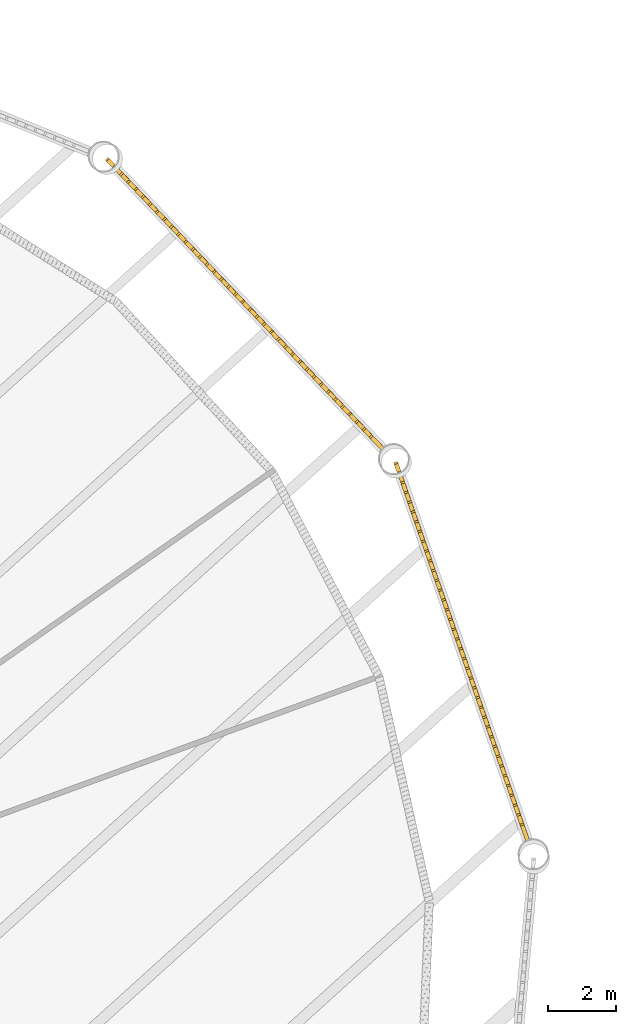
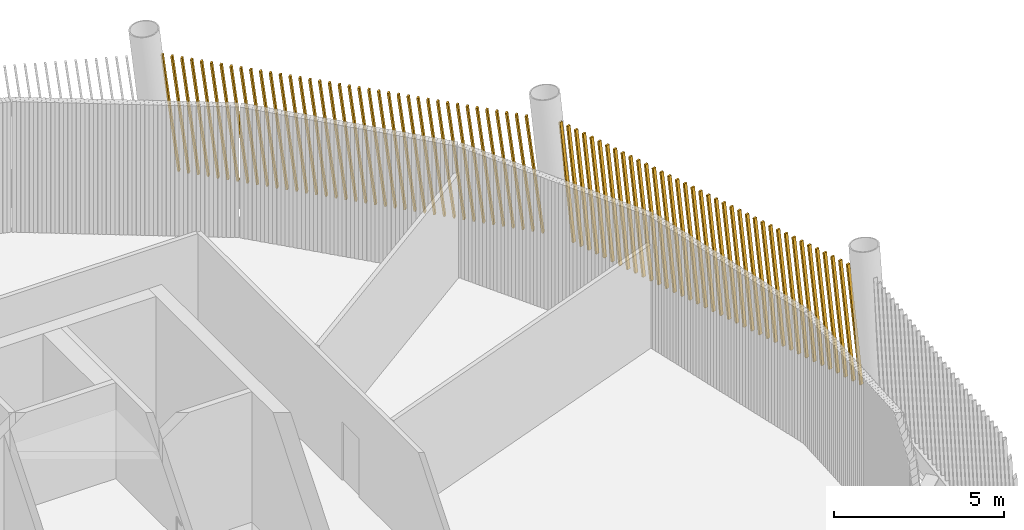
# One storey, part 21 of 21: 2 shading devices.
"""IFC4 building model written with IfcOpenShell, lengths in metres."""

from ifc_helpers import new_model, si_unit, direction, frame, frame_2d, origin, place, context, subcontext, project, spatial, rectangle, composite_profile, extrude, material, type_object, element, save


model = new_model("IFC4")

# Units and contexts
model_context = context("Model", 3, precision=1e-05, world=origin(), true_north=direction((0.0, 1.0)))
body_context = subcontext(model_context, "Body", "Model", "MODEL_VIEW")
ifc_project = project(units=[si_unit("LENGTHUNIT", "METRE"), si_unit("AREAUNIT", "SQUARE_METRE"), si_unit("VOLUMEUNIT", "CUBIC_METRE"), si_unit("PLANEANGLEUNIT", "RADIAN"), si_unit("MASSUNIT", "GRAM", prefix="KILO")], contexts=[model_context])

# Site, building, storey
site_placement = place(None, origin())
site = spatial("IfcSite", under=ifc_project, at=site_placement, CompositionType="ELEMENT")
building_placement = place(site_placement, origin())
building = spatial("IfcBuilding", under=site, at=building_placement, Name="Tarsis Ring Headquarters", CompositionType="ELEMENT")
storey_placement = place(building_placement, frame((0.0, 0.0, 398.60009765625)))
storey = spatial("IfcBuildingStorey", under=building, at=storey_placement, Name="L94", CompositionType="ELEMENT", Elevation=398.60009765625)

# Shading devices
ifc_material = material(Name="Terracotta baguette", Category="masonry")
shading_device_type = type_object("IfcShadingDeviceType", Name="Terracotta baguette screen", PredefinedType="USERDEFINED", material=ifc_material)
shading_device_1_placement = place(storey_placement, frame((28.6640625, 4.03857421875, 0.0), z_axis=(0.0, 0.0, 1.0), x_axis=(-0.329267498644, 0.944243081932, 0.0)))
element("IfcShadingDevice", 1, at=shading_device_1_placement, inside=storey, type_object=shading_device_type, Name="Baguette screen L94-06", ObjectType="Terracotta baguette screen", PredefinedType="USERDEFINED", context=body_context, shape_type="SweptSolid", body=[
    extrude(composite_profile([rectangle(XDim=0.06005859375, YDim=0.1201171875, at=frame_2d((0.030029296875, 0.0))), rectangle(XDim=0.06005859375, YDim=0.1201171875, at=frame_2d((0.33251953125, 0.0))), rectangle(XDim=0.06005859375, YDim=0.1201171875, at=frame_2d((0.634765625, 0.0))), rectangle(XDim=0.06005859375, YDim=0.1201171875, at=frame_2d((0.937255859375, 0.0))), rectangle(XDim=0.06005859375, YDim=0.1201171875, at=frame_2d((1.239501953125, 0.0))), rectangle(XDim=0.06005859375, YDim=0.1201171875, at=frame_2d((1.5419921875, 0.0))), rectangle(XDim=0.06005859375, YDim=0.1201171875, at=frame_2d((1.844482421875, 0.0))), rectangle(XDim=0.06005859375, YDim=0.1201171875, at=frame_2d((2.146728515625, 0.0))), rectangle(XDim=0.06005859375, YDim=0.1201171875, at=frame_2d((2.44921875, 0.0))), rectangle(XDim=0.06005859375, YDim=0.1201171875, at=frame_2d((2.751708984375, 0.0))), rectangle(XDim=0.06005859375, YDim=0.1201171875, at=frame_2d((3.053955078125, 0.0))), rectangle(XDim=0.06005859375, YDim=0.1201171875, at=frame_2d((3.3564453125, 0.0))), rectangle(XDim=0.06005859375, YDim=0.1201171875, at=frame_2d((3.65869140625, 0.0))), rectangle(XDim=0.06005859375, YDim=0.1201171875, at=frame_2d((3.961181640625, 0.0))), rectangle(XDim=0.06005859375, YDim=0.1201171875, at=frame_2d((4.263671875, 0.0))), rectangle(XDim=0.06005859375, YDim=0.1201171875, at=frame_2d((4.56591796875, 0.0))), rectangle(XDim=0.06005859375, YDim=0.1201171875, at=frame_2d((4.868408203125, 0.0))), rectangle(XDim=0.06005859375, YDim=0.1201171875, at=frame_2d((5.1708984375, 0.0))), rectangle(XDim=0.06005859375, YDim=0.1201171875, at=frame_2d((5.47314453125, 0.0))), rectangle(XDim=0.06005859375, YDim=0.1201171875, at=frame_2d((5.775634765625, 0.0))), rectangle(XDim=0.06005859375, YDim=0.1201171875, at=frame_2d((6.077880859375, 0.0))), rectangle(XDim=0.06005859375, YDim=0.1201171875, at=frame_2d((6.38037109375, 0.0))), rectangle(XDim=0.06005859375, YDim=0.1201171875, at=frame_2d((6.682861328125, 0.0))), rectangle(XDim=0.06005859375, YDim=0.1201171875, at=frame_2d((6.985107421875, 0.0))), rectangle(XDim=0.06005859375, YDim=0.1201171875, at=frame_2d((7.28759765625, 0.0))), rectangle(XDim=0.06005859375, YDim=0.1201171875, at=frame_2d((7.590087890625, 0.0))), rectangle(XDim=0.06005859375, YDim=0.1201171875, at=frame_2d((7.892333984375, 0.0))), rectangle(XDim=0.06005859375, YDim=0.1201171875, at=frame_2d((8.19482421875, 0.0))), rectangle(XDim=0.06005859375, YDim=0.1201171875, at=frame_2d((8.4970703125, 0.0))), rectangle(XDim=0.06005859375, YDim=0.1201171875, at=frame_2d((8.799560546875, 0.0))), rectangle(XDim=0.06005859375, YDim=0.1201171875, at=frame_2d((9.10205078125, 0.0))), rectangle(XDim=0.06005859375, YDim=0.1201171875, at=frame_2d((9.404296875, 0.0))), rectangle(XDim=0.06005859375, YDim=0.1201171875, at=frame_2d((9.706787109375, 0.0))), rectangle(XDim=0.06005859375, YDim=0.1201171875, at=frame_2d((10.00927734375, 0.0))), rectangle(XDim=0.06005859375, YDim=0.1201171875, at=frame_2d((10.3115234375, 0.0))), rectangle(XDim=0.06005859375, YDim=0.1201171875, at=frame_2d((10.614013671875, 0.0))), rectangle(XDim=0.06005859375, YDim=0.1201171875, at=frame_2d((10.916259765625, 0.0))), rectangle(XDim=0.06005859375, YDim=0.1201171875, at=frame_2d((11.21875, 0.0)))]), origin(), (0.124853164922, 0.001132264667, 0.992174584025), 4.1279296875),
])
shading_device_2_placement = place(storey_placement, frame((24.451171875, 15.49462890625, 0.0), z_axis=(0.0, 0.0, 1.0), x_axis=(-0.689202387412, 0.724579489962, 0.0)))
element("IfcShadingDevice", 2, at=shading_device_2_placement, inside=storey, type_object=shading_device_type, Name="Baguette screen L94-07", ObjectType="Terracotta baguette screen", PredefinedType="USERDEFINED", context=body_context, shape_type="SweptSolid", body=[
    extrude(composite_profile([rectangle(XDim=0.06005859375, YDim=0.1201171875, at=frame_2d((0.030029296875, 0.0))), rectangle(XDim=0.06005859375, YDim=0.1201171875, at=frame_2d((0.33251953125, 0.0))), rectangle(XDim=0.06005859375, YDim=0.1201171875, at=frame_2d((0.634765625, 0.0))), rectangle(XDim=0.06005859375, YDim=0.1201171875, at=frame_2d((0.937255859375, 0.0))), rectangle(XDim=0.06005859375, YDim=0.1201171875, at=frame_2d((1.239501953125, 0.0))), rectangle(XDim=0.06005859375, YDim=0.1201171875, at=frame_2d((1.5419921875, 0.0))), rectangle(XDim=0.06005859375, YDim=0.1201171875, at=frame_2d((1.844482421875, 0.0))), rectangle(XDim=0.06005859375, YDim=0.1201171875, at=frame_2d((2.146728515625, 0.0))), rectangle(XDim=0.06005859375, YDim=0.1201171875, at=frame_2d((2.44921875, 0.0))), rectangle(XDim=0.06005859375, YDim=0.1201171875, at=frame_2d((2.751708984375, 0.0))), rectangle(XDim=0.06005859375, YDim=0.1201171875, at=frame_2d((3.053955078125, 0.0))), rectangle(XDim=0.06005859375, YDim=0.1201171875, at=frame_2d((3.3564453125, 0.0))), rectangle(XDim=0.06005859375, YDim=0.1201171875, at=frame_2d((3.65869140625, 0.0))), rectangle(XDim=0.06005859375, YDim=0.1201171875, at=frame_2d((3.961181640625, 0.0))), rectangle(XDim=0.06005859375, YDim=0.1201171875, at=frame_2d((4.263671875, 0.0))), rectangle(XDim=0.06005859375, YDim=0.1201171875, at=frame_2d((4.56591796875, 0.0))), rectangle(XDim=0.06005859375, YDim=0.1201171875, at=frame_2d((4.868408203125, 0.0))), rectangle(XDim=0.06005859375, YDim=0.1201171875, at=frame_2d((5.1708984375, 0.0))), rectangle(XDim=0.06005859375, YDim=0.1201171875, at=frame_2d((5.47314453125, 0.0))), rectangle(XDim=0.06005859375, YDim=0.1201171875, at=frame_2d((5.775634765625, 0.0))), rectangle(XDim=0.06005859375, YDim=0.1201171875, at=frame_2d((6.077880859375, 0.0))), rectangle(XDim=0.06005859375, YDim=0.1201171875, at=frame_2d((6.38037109375, 0.0))), rectangle(XDim=0.06005859375, YDim=0.1201171875, at=frame_2d((6.682861328125, 0.0))), rectangle(XDim=0.06005859375, YDim=0.1201171875, at=frame_2d((6.985107421875, 0.0))), rectangle(XDim=0.06005859375, YDim=0.1201171875, at=frame_2d((7.28759765625, 0.0))), rectangle(XDim=0.06005859375, YDim=0.1201171875, at=frame_2d((7.590087890625, 0.0))), rectangle(XDim=0.06005859375, YDim=0.1201171875, at=frame_2d((7.892333984375, 0.0))), rectangle(XDim=0.06005859375, YDim=0.1201171875, at=frame_2d((8.19482421875, 0.0))), rectangle(XDim=0.06005859375, YDim=0.1201171875, at=frame_2d((8.4970703125, 0.0))), rectangle(XDim=0.06005859375, YDim=0.1201171875, at=frame_2d((8.799560546875, 0.0))), rectangle(XDim=0.06005859375, YDim=0.1201171875, at=frame_2d((9.10205078125, 0.0))), rectangle(XDim=0.06005859375, YDim=0.1201171875, at=frame_2d((9.404296875, 0.0))), rectangle(XDim=0.06005859375, YDim=0.1201171875, at=frame_2d((9.706787109375, 0.0))), rectangle(XDim=0.06005859375, YDim=0.1201171875, at=frame_2d((10.00927734375, 0.0))), rectangle(XDim=0.06005859375, YDim=0.1201171875, at=frame_2d((10.3115234375, 0.0))), rectangle(XDim=0.06005859375, YDim=0.1201171875, at=frame_2d((10.614013671875, 0.0))), rectangle(XDim=0.06005859375, YDim=0.1201171875, at=frame_2d((10.916259765625, 0.0))), rectangle(XDim=0.06005859375, YDim=0.1201171875, at=frame_2d((11.21875, 0.0)))]), origin(), (0.12485335815, 0.001132608986, 0.992174559317), 4.1279296875),
])

save(model, "model.ifc")
